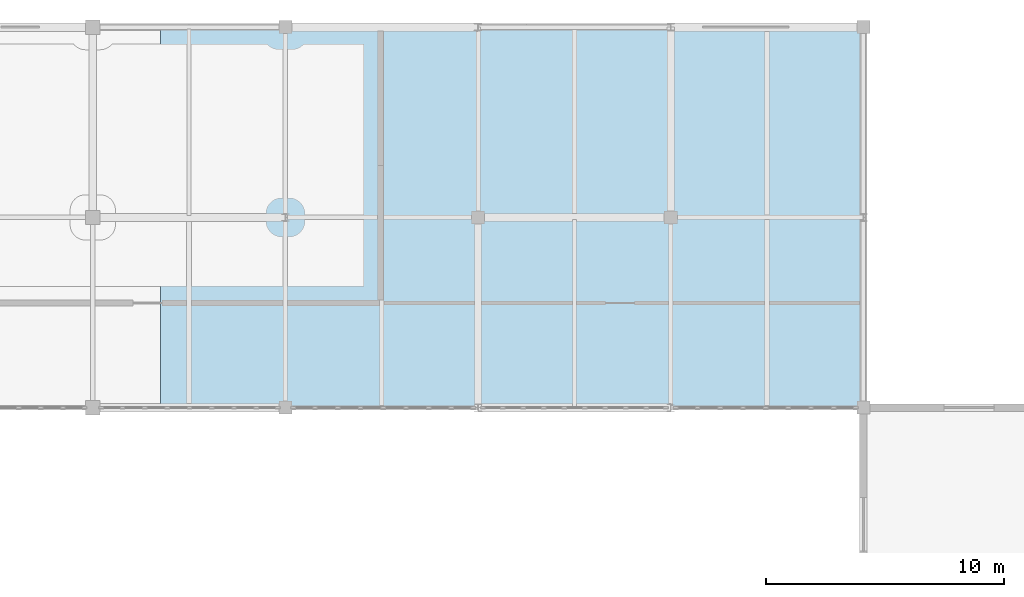
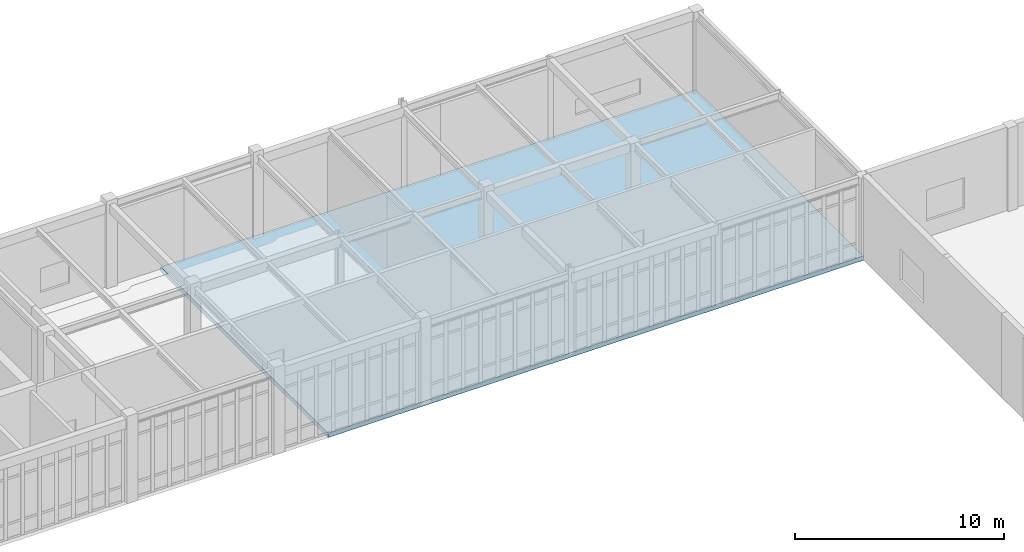
# One storey, part 50 of 70: 1 slab.
"""IFC4 building model written with IfcOpenShell, lengths in metres."""

from ifc_helpers import new_model, si_unit, direction, frame, origin, place, context, subcontext, project, spatial, polyline, outline, extrude, material, layer, layer_set, type_object, element, save


model = new_model("IFC4")

# Units and contexts
model_context = context("Model", 3, precision=1e-05, world=origin(), true_north=direction((0.0, 1.0)))
body_context = subcontext(model_context, "Body", "Model", "MODEL_VIEW")
ifc_project = project(units=[si_unit("LENGTHUNIT", "METRE"), si_unit("AREAUNIT", "SQUARE_METRE"), si_unit("VOLUMEUNIT", "CUBIC_METRE"), si_unit("PLANEANGLEUNIT", "RADIAN"), si_unit("MASSUNIT", "GRAM", prefix="KILO")], contexts=[model_context])

# Site, building, storey
site_placement = place(None, origin())
site = spatial("IfcSite", under=ifc_project, at=site_placement, CompositionType="ELEMENT")
building_placement = place(site_placement, origin())
building = spatial("IfcBuilding", under=site, at=building_placement, Name="Tarnveldt Square Police Headquarters", CompositionType="ELEMENT")
storey_placement = place(building_placement, frame((0.0, 0.0, 19.800048828125)))
storey = spatial("IfcBuildingStorey", under=building, at=storey_placement, Name="L04", CompositionType="ELEMENT", Elevation=19.800048828125)

# Slab
ifc_material = material(Name="Concrete 40 MPa", Category="concrete")
ifc_layer = layer(ifc_material, 0.260009765625)
ifc_layer_set = layer_set([ifc_layer], Name="Concrete 40 MPa")
slab_type = type_object("IfcSlabType", Name="SL-MID-260", PredefinedType="FLOOR", material=ifc_layer_set)
slab_placement = place(storey_placement, frame((0.0, 0.0, -0.260009765625)))
element("IfcSlab", 1, at=slab_placement, inside=storey, type_object=slab_type, Name="L04 Structural Floor Slab L04-V6-2", PredefinedType="FLOOR", context=body_context, shape_type="SweptSolid", body=[
    extrude(outline(polyline([(105.300048828125, 112.0), (105.300048828125, 96.0), (75.75, 96.0), (75.75, 112.0), (105.300048828125, 112.0)])), origin(), (0.0, 0.0, 1.0), 0.260009765625),
])

save(model, "model.ifc")
